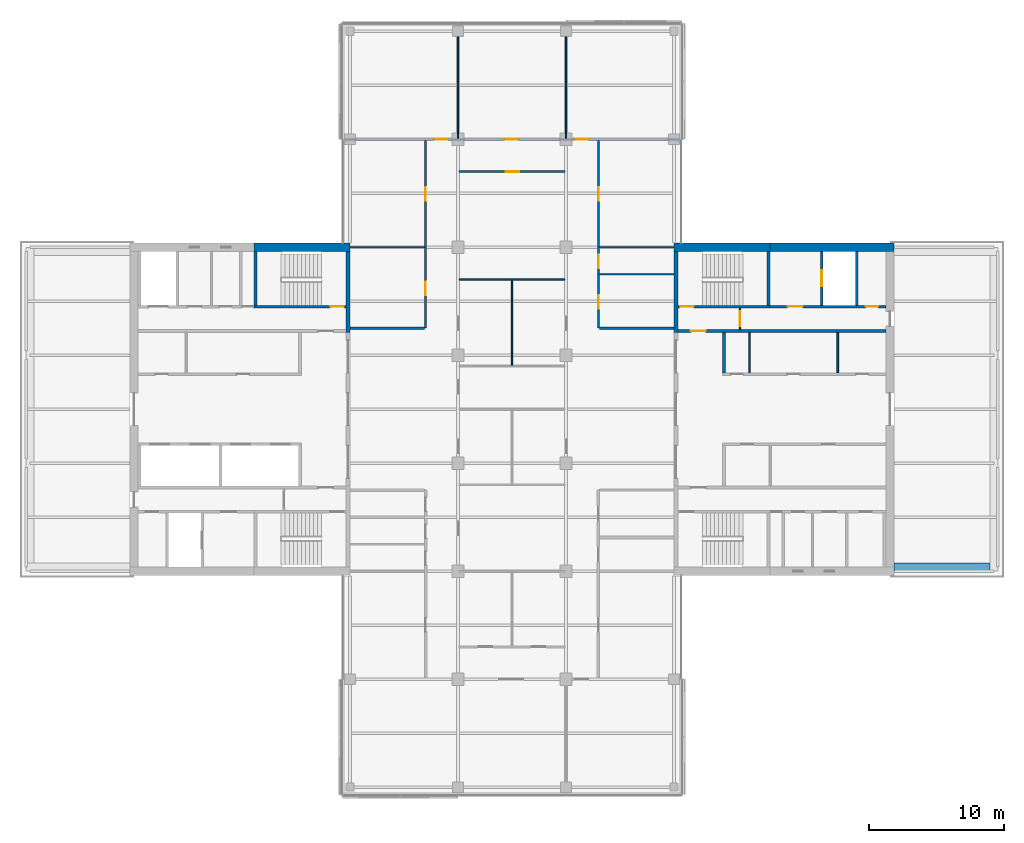
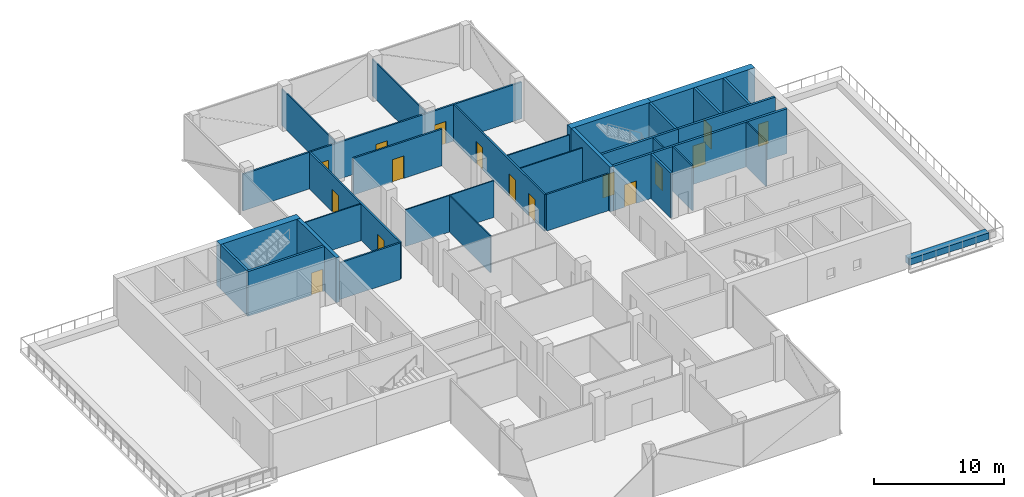
# One storey, part 14 of 18: 31 walls, 16 doors, 16 openings.
"""IFC4 building model written with IfcOpenShell, lengths in metres."""

from ifc_helpers import new_model, si_unit, direction, frame, frame_2d, origin, place, context, subcontext, project, spatial, rectangle, extrude, material, layer, layer_set, constituent, constituent_set, type_object, element, fill, save


model = new_model("IFC4")

# Units and contexts
model_context = context("Model", 3, precision=1e-05, world=origin(), true_north=direction((0.0, 1.0)))
body_context = subcontext(model_context, "Body", "Model", "MODEL_VIEW")
ifc_project = project(units=[si_unit("LENGTHUNIT", "METRE"), si_unit("AREAUNIT", "SQUARE_METRE"), si_unit("VOLUMEUNIT", "CUBIC_METRE"), si_unit("PLANEANGLEUNIT", "RADIAN"), si_unit("MASSUNIT", "GRAM", prefix="KILO")], contexts=[model_context])

# Site, building, storey
site_placement = place(None, origin())
site = spatial("IfcSite", under=ifc_project, at=site_placement, CompositionType="ELEMENT")
building_placement = place(site_placement, origin())
building = spatial("IfcBuilding", under=site, at=building_placement, Name="Crosswind Convention Tower", CompositionType="ELEMENT")
storey_placement = place(building_placement, frame((0.0, 0.0, 178.89990234375)))
storey = spatial("IfcBuildingStorey", under=building, at=storey_placement, Name="L37", CompositionType="ELEMENT", Elevation=178.89990234375)

# Walls
ifc_material_1 = material(Name="Concrete C50/60", Category="concrete")
ifc_layer_1 = layer(ifc_material_1, 0.300048828125)
ifc_layer_set_1 = layer_set([ifc_layer_1], Name="Concrete C50/60")
wall_type_1 = type_object("IfcWallType", Name="Concrete inner core wall 300", PredefinedType="SHEAR", material=ifc_layer_set_1)
for number, where, z_axis, x_axis, name in (
    (1, (137.14990234375, 105.699951171875, 0.0), (0.0, 0.0, 1.0), (0.0, 1.0, 0.0), "Wall EP E L37"),
    (2, (112.85009765625, 111.699951171875, 0.0), (0.0, 0.0, 1.0), (0.0, -1.0, 0.0), "Wall EM W L37"),
):
    element("IfcWall", number, at=place(storey_placement, frame(where, z_axis=z_axis, x_axis=x_axis)), inside=storey, type_object=wall_type_1, Name=name, PredefinedType="SHEAR", context=body_context, shape_type="SweptSolid", body=[
        extrude(rectangle(XDim=6.0, YDim=0.300048828125, at=frame_2d((3.0, 0.0))), origin(), (0.0, 0.0, 1.0), 4.2001953125),
    ])
ifc_layer_2 = layer(ifc_material_1, 0.199951171875)
ifc_layer_set_2 = layer_set([ifc_layer_2], Name="Concrete C50/60")
wall_type_2 = type_object("IfcWallType", Name="Concrete shaft and stair wall 200", PredefinedType="SHEAR", material=ifc_layer_set_2)
wall_1_placement = place(storey_placement, frame((140.699951171875, 102.699951171875, 0.0), z_axis=(0.0, 0.0, 1.0), x_axis=(0.0, 1.0, 0.0)))
element("IfcWall", 3, at=wall_1_placement, inside=storey, type_object=wall_type_2, Name="Wall RPEND E L37", PredefinedType="SHEAR", context=body_context, shape_type="SweptSolid", body=[
    extrude(rectangle(XDim=3.0, YDim=0.199951171875, at=frame_2d((1.5, 0.0))), origin(), (0.0, 0.0, 1.0), 4.2001953125),
])

# Wall, opening, door
wall_2_placement = place(storey_placement, frame((137.300048828125, 105.800048828125, 0.0), z_axis=(0.0, 0.0, 1.0), x_axis=(1.0, 0.0, 0.0)))
wall_2 = element("IfcWall", 4, at=wall_2_placement, inside=storey, type_object=wall_type_2, Name="Wall HP E L37", PredefinedType="SHEAR", context=body_context, shape_type="SweptSolid", body=[
    extrude(rectangle(XDim=15.39990234375, YDim=0.199951171875, at=frame_2d((7.699951171875, 0.0))), origin(), (0.0, 0.0, 1.0), 4.2001953125),
])
opening_1_placement = place(wall_2_placement, frame((0.949951171875, 0.0, 0.0)))
opening_1 = element("IfcOpeningElement", 5, at=opening_1_placement, cuts=wall_2, Name="Opening D104", PredefinedType="OPENING", context=body_context, shape_type="SweptSolid", body=[
    extrude(rectangle(XDim=1.10009765625, YDim=2.10009765625, at=frame_2d((0.550048828125, 1.050048828125))), frame((0.0, 0.10986328125, 0.0), z_axis=(0.0, -1.0, 0.0), x_axis=(1.0, 0.0, 0.0)), (0.0, 0.0, 1.0), 0.219970703125),
])
ifc_material_2 = material(Name="Steel fire door", Category="steel")
door_type_1 = type_object("IfcDoorType", Name="Fire-rated single door 1100x2100", OperationType="NOTDEFINED", PredefinedType="DOOR", material=ifc_material_2)
door_1_placement = place(opening_1_placement, origin())
door_1 = element("IfcDoor", 6, at=door_1_placement, inside=storey, type_object=door_type_1, Name="Corridor door L37", ObjectType="D104", OperationType="SINGLE_SWING_LEFT", OverallHeight=2.10009765625, OverallWidth=1.10009765625, PredefinedType="DOOR", context=body_context, shape_type="SweptSolid", body=[
    extrude(rectangle(XDim=1.10009765625, YDim=2.10009765625, at=frame_2d((0.550048828125, 1.050048828125))), frame((0.0, 0.02490234375, 0.0), z_axis=(0.0, -1.0, 0.0), x_axis=(1.0, 0.0, 0.0)), (0.0, 0.0, 1.0), 0.050048828125),
])
fill(opening_1, door_1)

# Wall
wall_3_placement = place(storey_placement, frame((144.0, 107.699951171875, 0.0), z_axis=(0.0, 0.0, 1.0), x_axis=(0.0, 1.0, 0.0)))
element("IfcWall", 7, at=wall_3_placement, inside=storey, type_object=wall_type_2, Name="Wall PSE E L37", PredefinedType="SHEAR", context=body_context, shape_type="SweptSolid", body=[
    extrude(rectangle(XDim=4.0, YDim=0.199951171875, at=frame_2d((2.0, 0.0))), origin(), (0.0, 0.0, 1.0), 4.2001953125),
])

# Wall, opening, door
wall_4_placement = place(storey_placement, frame((147.949951171875, 107.699951171875, 0.0), z_axis=(0.0, 0.0, 1.0), x_axis=(0.0, 1.0, 0.0)))
wall_4 = element("IfcWall", 8, at=wall_4_placement, inside=storey, type_object=wall_type_2, Name="Wall PFLW E L37", PredefinedType="SHEAR", context=body_context, shape_type="SweptSolid", body=[
    extrude(rectangle(XDim=4.0, YDim=0.199951171875, at=frame_2d((2.0, 0.0))), origin(), (0.0, 0.0, 1.0), 4.2001953125),
])
opening_2_placement = place(wall_4_placement, frame((1.39990234375, 0.0, 0.0)))
opening_2 = element("IfcOpeningElement", 9, at=opening_2_placement, cuts=wall_4, Name="Opening LD1", PredefinedType="OPENING", context=body_context, shape_type="SweptSolid", body=[
    extrude(rectangle(XDim=1.199951171875, YDim=2.10009765625, at=frame_2d((0.60009765625, 1.050048828125))), frame((0.0, 0.10986328125, 0.0), z_axis=(0.0, -1.0, 0.0), x_axis=(1.0, 0.0, 0.0)), (0.0, 0.0, 1.0), 0.219970703125),
])
ifc_material_3 = material(Name="Stainless steel", Category="steel")
door_type_2 = type_object("IfcDoorType", Name="Lift landing door 1200x2100", OperationType="DOUBLE_DOOR_SLIDING", PredefinedType="DOOR", material=ifc_material_3)
door_2_placement = place(opening_2_placement, origin())
door_2 = element("IfcDoor", 10, at=door_2_placement, inside=storey, type_object=door_type_2, Name="Landing door FF1 L37", ObjectType="LD1", OperationType="DOUBLE_DOOR_SLIDING", OverallHeight=2.10009765625, OverallWidth=1.199951171875, PredefinedType="DOOR", context=body_context, shape_type="SweptSolid", body=[
    extrude(rectangle(XDim=1.199951171875, YDim=2.10009765625, at=frame_2d((0.60009765625, 1.050048828125))), frame((0.0, 0.02490234375, 0.0), z_axis=(0.0, -1.0, 0.0), x_axis=(1.0, 0.0, 0.0)), (0.0, 0.0, 1.0), 0.050048828125),
])
fill(opening_2, door_2)

# Wall
wall_5_placement = place(storey_placement, frame((150.550048828125, 107.699951171875, 0.0), z_axis=(0.0, 0.0, 1.0), x_axis=(0.0, 1.0, 0.0)))
element("IfcWall", 11, at=wall_5_placement, inside=storey, type_object=wall_type_2, Name="Wall PFSE E L37", PredefinedType="SHEAR", context=body_context, shape_type="SweptSolid", body=[
    extrude(rectangle(XDim=4.0, YDim=0.199951171875, at=frame_2d((2.0, 0.0))), origin(), (0.0, 0.0, 1.0), 4.2001953125),
])

# Wall, opening, door
wall_6_placement = place(storey_placement, frame((137.300048828125, 107.60009765625, 0.0), z_axis=(0.0, 0.0, 1.0), x_axis=(1.0, 0.0, 0.0)))
wall_6 = element("IfcWall", 12, at=wall_6_placement, inside=storey, type_object=wall_type_2, Name="Wall PCW E L37", PredefinedType="SHEAR", context=body_context, shape_type="SweptSolid", body=[
    extrude(rectangle(XDim=6.800048828125, YDim=0.199951171875, at=frame_2d((3.39990234375, 0.0))), origin(), (0.0, 0.0, 1.0), 4.2001953125),
])
opening_3_placement = place(wall_6_placement, frame((0.14990234375, 0.0, 0.0)))
opening_3 = element("IfcOpeningElement", 13, at=opening_3_placement, cuts=wall_6, Name="Opening D103", PredefinedType="OPENING", context=body_context, shape_type="SweptSolid", body=[
    extrude(rectangle(XDim=1.0, YDim=2.10009765625, at=frame_2d((0.5, 1.050048828125))), frame((0.0, 0.10986328125, 0.0), z_axis=(0.0, -1.0, 0.0), x_axis=(1.0, 0.0, 0.0)), (0.0, 0.0, 1.0), 0.219970703125),
])
door_type_3 = type_object("IfcDoorType", Name="Fire-rated single door 1000x2100", OperationType="NOTDEFINED", PredefinedType="DOOR", material=ifc_material_2)
door_3_placement = place(opening_3_placement, origin())
door_3 = element("IfcDoor", 14, at=door_3_placement, inside=storey, type_object=door_type_3, Name="Stair ST1 door L37", ObjectType="D103", OperationType="SINGLE_SWING_LEFT", OverallHeight=2.10009765625, OverallWidth=1.0, PredefinedType="DOOR", context=body_context, shape_type="SweptSolid", body=[
    extrude(rectangle(XDim=1.0, YDim=2.10009765625, at=frame_2d((0.5, 1.050048828125))), frame((0.0, 0.02490234375, 0.0), z_axis=(0.0, -1.0, 0.0), x_axis=(1.0, 0.0, 0.0)), (0.0, 0.0, 1.0), 0.050048828125),
])
fill(opening_3, door_3)

# Wall, openings, doors
wall_7_placement = place(storey_placement, frame((144.10009765625, 107.60009765625, 0.0), z_axis=(0.0, 0.0, 1.0), x_axis=(1.0, 0.0, 0.0)))
wall_7 = element("IfcWall", 15, at=wall_7_placement, inside=storey, type_object=wall_type_2, Name="Wall PCX E L37", PredefinedType="SHEAR", context=body_context, shape_type="SweptSolid", body=[
    extrude(rectangle(XDim=8.599853515625, YDim=0.199951171875, at=frame_2d((4.2998046875, 0.0))), origin(), (0.0, 0.0, 1.0), 4.2001953125),
])
opening_4_placement = place(wall_7_placement, frame((1.324951171875, 0.0, 0.0)))
opening_4 = element("IfcOpeningElement", 16, at=opening_4_placement, cuts=wall_7, Name="Opening D104", PredefinedType="OPENING", context=body_context, shape_type="SweptSolid", body=[
    extrude(rectangle(XDim=1.10009765625, YDim=2.10009765625, at=frame_2d((0.550048828125, 1.050048828125))), frame((0.0, 0.10986328125, 0.0), z_axis=(0.0, -1.0, 0.0), x_axis=(1.0, 0.0, 0.0)), (0.0, 0.0, 1.0), 0.219970703125),
])
opening_5_placement = place(wall_7_placement, frame((7.125, 0.0, 0.0)))
opening_5 = element("IfcOpeningElement", 17, at=opening_5_placement, cuts=wall_7, Name="Opening D106", PredefinedType="OPENING", context=body_context, shape_type="SweptSolid", body=[
    extrude(rectangle(XDim=0.89990234375, YDim=2.10009765625, at=frame_2d((0.449951171875, 1.050048828125))), frame((0.0, 0.10986328125, 0.0), z_axis=(0.0, -1.0, 0.0), x_axis=(1.0, 0.0, 0.0)), (0.0, 0.0, 1.0), 0.219970703125),
])
door_4_placement = place(opening_4_placement, origin())
door_4 = element("IfcDoor", 18, at=door_4_placement, inside=storey, type_object=door_type_1, Name="Fire-fighting lobby FF1 door L37", ObjectType="D104", OperationType="SINGLE_SWING_RIGHT", OverallHeight=2.10009765625, OverallWidth=1.10009765625, PredefinedType="DOOR", context=body_context, shape_type="SweptSolid", body=[
    extrude(rectangle(XDim=1.10009765625, YDim=2.10009765625, at=frame_2d((0.550048828125, 1.050048828125))), frame((0.0, 0.02490234375, 0.0), z_axis=(0.0, -1.0, 0.0), x_axis=(1.0, 0.0, 0.0)), (0.0, 0.0, 1.0), 0.050048828125),
])
fill(opening_4, door_4)
ifc_material_4 = material(Name="Timber door", Category="wood")
door_type_4 = type_object("IfcDoorType", Name="Single leaf door 900x2100", OperationType="NOTDEFINED", PredefinedType="DOOR", material=ifc_material_4)
door_5_placement = place(opening_5_placement, origin())
door_5 = element("IfcDoor", 19, at=door_5_placement, inside=storey, type_object=door_type_4, Name="Door to cleaners' store L37", ObjectType="D106", OperationType="SINGLE_SWING_RIGHT", OverallHeight=2.10009765625, OverallWidth=0.89990234375, PredefinedType="DOOR", context=body_context, shape_type="SweptSolid", body=[
    extrude(rectangle(XDim=0.89990234375, YDim=2.10009765625, at=frame_2d((0.449951171875, 1.050048828125))), frame((0.0, 0.02490234375, 0.0), z_axis=(0.0, -1.0, 0.0), x_axis=(1.0, 0.0, 0.0)), (0.0, 0.0, 1.0), 0.050048828125),
])
fill(opening_5, door_5)

# Wall
wall_8_placement = place(storey_placement, frame((106.0, 111.699951171875, 0.0), z_axis=(0.0, 0.0, 1.0), x_axis=(0.0, -1.0, 0.0)))
element("IfcWall", 20, at=wall_8_placement, inside=storey, type_object=wall_type_2, Name="Wall MSE W L37", PredefinedType="SHEAR", context=body_context, shape_type="SweptSolid", body=[
    extrude(rectangle(XDim=4.0, YDim=0.199951171875, at=frame_2d((2.0, 0.0))), origin(), (0.0, 0.0, 1.0), 4.2001953125),
])

# Wall, opening, door
wall_9_placement = place(storey_placement, frame((112.699951171875, 107.60009765625, 0.0), z_axis=(0.0, 0.0, 1.0), x_axis=(-1.0, 0.0, 0.0)))
wall_9 = element("IfcWall", 21, at=wall_9_placement, inside=storey, type_object=wall_type_2, Name="Wall MCW W L37", PredefinedType="SHEAR", context=body_context, shape_type="SweptSolid", body=[
    extrude(rectangle(XDim=6.800048828125, YDim=0.199951171875, at=frame_2d((3.39990234375, 0.0))), origin(), (0.0, 0.0, 1.0), 4.2001953125),
])
opening_6_placement = place(wall_9_placement, frame((0.14990234375, 0.0, 0.0)))
opening_6 = element("IfcOpeningElement", 22, at=opening_6_placement, cuts=wall_9, Name="Opening D103", PredefinedType="OPENING", context=body_context, shape_type="SweptSolid", body=[
    extrude(rectangle(XDim=1.0, YDim=2.10009765625, at=frame_2d((0.5, 1.050048828125))), frame((0.0, 0.10986328125, 0.0), z_axis=(0.0, -1.0, 0.0), x_axis=(1.0, 0.0, 0.0)), (0.0, 0.0, 1.0), 0.219970703125),
])
door_6_placement = place(opening_6_placement, frame((1.0, 0.0, 0.0), z_axis=(0.0, 0.0, 1.0), x_axis=(-1.0, 0.0, 0.0)))
door_6 = element("IfcDoor", 23, at=door_6_placement, inside=storey, type_object=door_type_3, Name="Stair ST4 door L37", ObjectType="D103", OperationType="SINGLE_SWING_RIGHT", OverallHeight=2.10009765625, OverallWidth=1.0, PredefinedType="DOOR", context=body_context, shape_type="SweptSolid", body=[
    extrude(rectangle(XDim=1.0, YDim=2.10009765625, at=frame_2d((0.5, 1.050048828125))), frame((0.0, 0.02490234375, 0.0), z_axis=(0.0, -1.0, 0.0), x_axis=(1.0, 0.0, 0.0)), (0.0, 0.0, 1.0), 0.050048828125),
])
fill(opening_6, door_6)

# Walls
ifc_material_5 = material(Name="Gypsum plasterboard partition", Category="gypsum")
ifc_layer_3 = layer(ifc_material_5, 0.125)
ifc_layer_set_3 = layer_set([ifc_layer_3], Name="Drywall partition wall 125")
wall_type_3 = type_object("IfcWallType", Name="Drywall partition wall 125", PredefinedType="PARTITIONING", material=ifc_layer_set_3)
for number, where, z_axis, x_axis, name in (
    (24, (142.5849609375, 102.699951171875, 0.0), (0.0, 0.0, 1.0), (0.0, 1.0, 0.0), "Wall RPP1 E L37"),
    (25, (149.1298828125, 102.699951171875, 0.0), (0.0, 0.0, 1.0), (0.0, 1.0, 0.0), "Wall RPP2 E L37"),
):
    element("IfcWall", number, at=place(storey_placement, frame(where, z_axis=z_axis, x_axis=x_axis)), inside=storey, type_object=wall_type_3, Name=name, PredefinedType="PARTITIONING", context=body_context, shape_type="SweptSolid", body=[
        extrude(rectangle(XDim=3.0, YDim=0.125, at=frame_2d((1.5, 0.0))), origin(), (0.0, 0.0, 1.0), 4.2001953125),
    ])

# Wall, opening, door
wall_10_placement = place(storey_placement, frame((141.89990234375, 105.89990234375, 0.0), z_axis=(0.0, 0.0, 1.0), x_axis=(0.0, 1.0, 0.0)))
wall_10 = element("IfcWall", 26, at=wall_10_placement, inside=storey, type_object=wall_type_3, Name="Wall PXC1 E L37", PredefinedType="PARTITIONING", context=body_context, shape_type="SweptSolid", body=[
    extrude(rectangle(XDim=1.60009765625, YDim=0.125, at=frame_2d((0.800048828125, 0.0))), origin(), (0.0, 0.0, 1.0), 4.2001953125),
])
opening_7_placement = place(wall_10_placement, frame((0.25, 0.0, 0.0)))
opening_7 = element("IfcOpeningElement", 27, at=opening_7_placement, cuts=wall_10, Name="Opening D104", PredefinedType="OPENING", context=body_context, shape_type="SweptSolid", body=[
    extrude(rectangle(XDim=1.10009765625, YDim=2.10009765625, at=frame_2d((0.550048828125, 1.050048828125))), frame((0.0, 0.072509765625, 0.0), z_axis=(0.0, -1.0, 0.0), x_axis=(1.0, 0.0, 0.0)), (0.0, 0.0, 1.0), 0.14501953125),
])
door_7_placement = place(opening_7_placement, origin())
door_7 = element("IfcDoor", 28, at=door_7_placement, inside=storey, type_object=door_type_1, Name="Corridor smoke door L37", ObjectType="D104", OperationType="SINGLE_SWING_RIGHT", OverallHeight=2.10009765625, OverallWidth=1.10009765625, PredefinedType="DOOR", context=body_context, shape_type="SweptSolid", body=[
    extrude(rectangle(XDim=1.10009765625, YDim=2.10009765625, at=frame_2d((0.550048828125, 1.050048828125))), frame((0.0, 0.02490234375, 0.0), z_axis=(0.0, -1.0, 0.0), x_axis=(1.0, 0.0, 0.0)), (0.0, 0.0, 1.0), 0.050048828125),
])
fill(opening_7, door_7)

# Walls
ifc_material_6 = material(Name="Plasterboard partition", Category="gypsum")
ifc_layer_4 = layer(ifc_material_6, 0.10009765625)
ifc_layer_set_4 = layer_set([ifc_layer_4], Name="PARTITION 100 METAL STUD")
wall_type_4 = type_object("IfcWallType", Name="PARTITION 100 METAL STUD", PredefinedType="PARTITIONING", material=ifc_layer_set_4)
wall_11_placement = place(storey_placement, frame((121.0, 120.074951171875, 0.0), z_axis=(0.0, 0.0, 1.0), x_axis=(0.0, 1.0, 0.0)))
element("IfcWall", 29, at=wall_11_placement, inside=storey, type_object=wall_type_4, Name="Partition wall WT40", PredefinedType="PARTITIONING", context=body_context, shape_type="SweptSolid", body=[
    extrude(rectangle(XDim=8.295166015625, YDim=0.10009765625, at=frame_2d((4.1474609375, 0.0))), origin(), (0.0, 0.0, 1.0), 3.43994140625),
])
wall_12_placement = place(storey_placement, frame((125.0, 103.25, 0.0), z_axis=(0.0, 0.0, 1.0), x_axis=(0.0, 1.0, 0.0)))
element("IfcWall", 30, at=wall_12_placement, inside=storey, type_object=wall_type_4, Name="Partition wall WT40", PredefinedType="PARTITIONING", context=body_context, shape_type="SweptSolid", body=[
    extrude(rectangle(XDim=6.300048828125, YDim=0.10009765625, at=frame_2d((3.14990234375, 0.0))), origin(), (0.0, 0.0, 1.0), 3.43994140625),
])
wall_13_placement = place(storey_placement, frame((129.0, 120.074951171875, 0.0), z_axis=(0.0, 0.0, 1.0), x_axis=(0.0, 1.0, 0.0)))
element("IfcWall", 31, at=wall_13_placement, inside=storey, type_object=wall_type_4, Name="Partition wall WT40", PredefinedType="PARTITIONING", context=body_context, shape_type="SweptSolid", body=[
    extrude(rectangle(XDim=8.295166015625, YDim=0.10009765625, at=frame_2d((4.1474609375, 0.0))), origin(), (0.0, 0.0, 1.0), 3.43994140625),
])
wall_14_placement = place(storey_placement, frame((121.074951171875, 109.60009765625, 0.0), z_axis=(0.0, 0.0, 1.0), x_axis=(1.0, 0.0, 0.0)))
element("IfcWall", 32, at=wall_14_placement, inside=storey, type_object=wall_type_4, Name="Partition wall WT40", PredefinedType="PARTITIONING", context=body_context, shape_type="SweptSolid", body=[
    extrude(rectangle(XDim=7.85009765625, YDim=0.10009765625, at=frame_2d((3.925048828125, 0.0))), origin(), (0.0, 0.0, 1.0), 3.43994140625),
])
for number, where, z_axis, x_axis, name in (
    (33, (131.47509765625, 110.0, 0.0), (0.0, 0.0, 1.0), (1.0, 0.0, 0.0), "Partition wall WT40"),
    (34, (113.0, 112.0, 0.0), (0.0, 0.0, 1.0), (1.0, 0.0, 0.0), "Partition wall WT40"),
    (35, (131.47509765625, 112.0, 0.0), (0.0, 0.0, 1.0), (1.0, 0.0, 0.0), "Partition wall WT40"),
):
    element("IfcWall", number, at=place(storey_placement, frame(where, z_axis=z_axis, x_axis=x_axis)), inside=storey, type_object=wall_type_4, Name=name, PredefinedType="PARTITIONING", context=body_context, shape_type="SweptSolid", body=[
        extrude(rectangle(XDim=5.52490234375, YDim=0.10009765625, at=frame_2d((2.762451171875, 0.0))), origin(), (0.0, 0.0, 1.0), 3.43994140625),
    ])
ifc_material_7 = material(Name="Concrete C30/37", Category="concrete")
ifc_layer_5 = layer(ifc_material_7, 0.60009765625)
ifc_layer_set_5 = layer_set([ifc_layer_5], Name="Concrete C30/37")
wall_type_5 = type_object("IfcWallType", Name="PLANTER BOX WALL 600", PredefinedType="SOLIDWALL", material=ifc_layer_set_5)
wall_15_placement = place(storey_placement, frame((160.39990234375, 88.300048828125, 0.0), z_axis=(0.0, 0.0, 1.0), x_axis=(-1.0, 0.0, 0.0)))
element("IfcWall", 36, at=wall_15_placement, inside=storey, type_object=wall_type_5, Name="PLANTER L37 E 3", PredefinedType="SOLIDWALL", context=body_context, shape_type="SweptSolid", body=[
    extrude(rectangle(XDim=7.099853515625, YDim=0.60009765625, at=frame_2d((3.5498046875, 0.0))), origin(), (0.0, 0.0, 1.0), 0.60009765625),
])

# Wall, openings, doors
ifc_material_8 = material(Name="Fire-board partition with mineral wool", Category="gypsum")
ifc_layer_6 = layer(ifc_material_8, 0.14990234375)
ifc_layer_set_6 = layer_set([ifc_layer_6], Name="TENANCY WALL 150 TWO-HOUR BOARD")
wall_type_6 = type_object("IfcWallType", Name="TENANCY WALL 150 TWO-HOUR BOARD", PredefinedType="PARTITIONING", material=ifc_layer_set_6)
wall_16_placement = place(storey_placement, frame((118.60009765625, 106.0, 0.0), z_axis=(0.0, 0.0, 1.0), x_axis=(0.0, 1.0, 0.0)))
wall_16 = element("IfcWall", 37, at=wall_16_placement, inside=storey, type_object=wall_type_6, Name="Tenancy wall WT41", PredefinedType="PARTITIONING", context=body_context, shape_type="SweptSolid", body=[
    extrude(rectangle(XDim=13.925048828125, YDim=0.14990234375, at=frame_2d((6.96240234375, 0.0))), origin(), (0.0, 0.0, 1.0), 3.43994140625),
])
opening_8_placement = place(wall_16_placement, frame((2.449951171875, 0.0, 0.0)))
opening_8 = element("IfcOpeningElement", 38, at=opening_8_placement, cuts=wall_16, Name="Opening L37-56", PredefinedType="OPENING", context=body_context, shape_type="SweptSolid", body=[
    extrude(rectangle(XDim=1.0, YDim=2.10009765625, at=frame_2d((0.5, 1.050048828125))), frame((0.0, 0.0849609375, 0.0), z_axis=(0.0, -1.0, 0.0), x_axis=(1.0, 0.0, 0.0)), (0.0, 0.0, 1.0), 0.169921875),
])
opening_9_placement = place(wall_16_placement, frame((9.449951171875, 0.0, 0.0)))
opening_9 = element("IfcOpeningElement", 39, at=opening_9_placement, cuts=wall_16, Name="Opening L37-57", PredefinedType="OPENING", context=body_context, shape_type="SweptSolid", body=[
    extrude(rectangle(XDim=1.0, YDim=2.10009765625, at=frame_2d((0.5, 1.050048828125))), frame((0.0, 0.0849609375, 0.0), z_axis=(0.0, -1.0, 0.0), x_axis=(1.0, 0.0, 0.0)), (0.0, 0.0, 1.0), 0.169921875),
])
ifc_material_9 = material(Name="Timber fire door", Category="wood")
door_type_5 = type_object("IfcDoorType", Name="TENANCY ENTRANCE DOOR 1000X2100 FD30S", OperationType="NOTDEFINED", PredefinedType="DOOR", material=ifc_material_9)
door_8_placement = place(opening_8_placement, origin())
door_8 = element("IfcDoor", 40, at=door_8_placement, inside=storey, type_object=door_type_5, Name="Door L37-56", ObjectType="D41", OperationType="SINGLE_SWING_LEFT", OverallHeight=2.10009765625, OverallWidth=1.0, PredefinedType="DOOR", context=body_context, shape_type="SweptSolid", body=[
    extrude(rectangle(XDim=1.0, YDim=2.10009765625, at=frame_2d((0.5, 1.050048828125))), frame((0.0, 0.02490234375, 0.0), z_axis=(0.0, -1.0, 0.0), x_axis=(1.0, 0.0, 0.0)), (0.0, 0.0, 1.0), 0.050048828125),
])
fill(opening_8, door_8)
door_9_placement = place(opening_9_placement, origin())
door_9 = element("IfcDoor", 41, at=door_9_placement, inside=storey, type_object=door_type_5, Name="Door L37-57", ObjectType="D41", OperationType="SINGLE_SWING_LEFT", OverallHeight=2.10009765625, OverallWidth=1.0, PredefinedType="DOOR", context=body_context, shape_type="SweptSolid", body=[
    extrude(rectangle(XDim=1.0, YDim=2.10009765625, at=frame_2d((0.5, 1.050048828125))), frame((0.0, 0.02490234375, 0.0), z_axis=(0.0, -1.0, 0.0), x_axis=(1.0, 0.0, 0.0)), (0.0, 0.0, 1.0), 0.050048828125),
])
fill(opening_9, door_9)

wall_17_placement = place(storey_placement, frame((131.39990234375, 106.0, 0.0), z_axis=(0.0, 0.0, 1.0), x_axis=(0.0, 1.0, 0.0)))
wall_17 = element("IfcWall", 42, at=wall_17_placement, inside=storey, type_object=wall_type_6, Name="Tenancy wall WT41", PredefinedType="PARTITIONING", context=body_context, shape_type="SweptSolid", body=[
    extrude(rectangle(XDim=13.925048828125, YDim=0.14990234375, at=frame_2d((6.96240234375, 0.0))), origin(), (0.0, 0.0, 1.0), 3.43994140625),
])
opening_10_placement = place(wall_17_placement, frame((1.449951171875, 0.0, 0.0)))
opening_10 = element("IfcOpeningElement", 43, at=opening_10_placement, cuts=wall_17, Name="Opening L37-50", PredefinedType="OPENING", context=body_context, shape_type="SweptSolid", body=[
    extrude(rectangle(XDim=1.0, YDim=2.10009765625, at=frame_2d((0.5, 1.050048828125))), frame((0.0, 0.0849609375, 0.0), z_axis=(0.0, -1.0, 0.0), x_axis=(1.0, 0.0, 0.0)), (0.0, 0.0, 1.0), 0.169921875),
])
opening_11_placement = place(wall_17_placement, frame((4.449951171875, 0.0, 0.0)))
opening_11 = element("IfcOpeningElement", 44, at=opening_11_placement, cuts=wall_17, Name="Opening L37-51", PredefinedType="OPENING", context=body_context, shape_type="SweptSolid", body=[
    extrude(rectangle(XDim=1.0, YDim=2.10009765625, at=frame_2d((0.5, 1.050048828125))), frame((0.0, 0.0849609375, 0.0), z_axis=(0.0, -1.0, 0.0), x_axis=(1.0, 0.0, 0.0)), (0.0, 0.0, 1.0), 0.169921875),
])
opening_12_placement = place(wall_17_placement, frame((9.449951171875, 0.0, 0.0)))
opening_12 = element("IfcOpeningElement", 45, at=opening_12_placement, cuts=wall_17, Name="Opening L37-52", PredefinedType="OPENING", context=body_context, shape_type="SweptSolid", body=[
    extrude(rectangle(XDim=1.0, YDim=2.10009765625, at=frame_2d((0.5, 1.050048828125))), frame((0.0, 0.0849609375, 0.0), z_axis=(0.0, -1.0, 0.0), x_axis=(1.0, 0.0, 0.0)), (0.0, 0.0, 1.0), 0.169921875),
])
door_10_placement = place(opening_10_placement, frame((1.0, 0.0, 0.0), z_axis=(0.0, 0.0, 1.0), x_axis=(-1.0, 0.0, 0.0)))
door_10 = element("IfcDoor", 46, at=door_10_placement, inside=storey, type_object=door_type_5, Name="Door L37-50", ObjectType="D41", OperationType="SINGLE_SWING_RIGHT", OverallHeight=2.10009765625, OverallWidth=1.0, PredefinedType="DOOR", context=body_context, shape_type="SweptSolid", body=[
    extrude(rectangle(XDim=1.0, YDim=2.10009765625, at=frame_2d((0.5, 1.050048828125))), frame((0.0, 0.02490234375, 0.0), z_axis=(0.0, -1.0, 0.0), x_axis=(1.0, 0.0, 0.0)), (0.0, 0.0, 1.0), 0.050048828125),
])
fill(opening_10, door_10)
door_11_placement = place(opening_11_placement, frame((1.0, 0.0, 0.0), z_axis=(0.0, 0.0, 1.0), x_axis=(-1.0, 0.0, 0.0)))
door_11 = element("IfcDoor", 47, at=door_11_placement, inside=storey, type_object=door_type_5, Name="Door L37-51", ObjectType="D41", OperationType="SINGLE_SWING_RIGHT", OverallHeight=2.10009765625, OverallWidth=1.0, PredefinedType="DOOR", context=body_context, shape_type="SweptSolid", body=[
    extrude(rectangle(XDim=1.0, YDim=2.10009765625, at=frame_2d((0.5, 1.050048828125))), frame((0.0, 0.02490234375, 0.0), z_axis=(0.0, -1.0, 0.0), x_axis=(1.0, 0.0, 0.0)), (0.0, 0.0, 1.0), 0.050048828125),
])
fill(opening_11, door_11)
door_12_placement = place(opening_12_placement, frame((1.0, 0.0, 0.0), z_axis=(0.0, 0.0, 1.0), x_axis=(-1.0, 0.0, 0.0)))
door_12 = element("IfcDoor", 48, at=door_12_placement, inside=storey, type_object=door_type_5, Name="Door L37-52", ObjectType="D41", OperationType="SINGLE_SWING_RIGHT", OverallHeight=2.10009765625, OverallWidth=1.0, PredefinedType="DOOR", context=body_context, shape_type="SweptSolid", body=[
    extrude(rectangle(XDim=1.0, YDim=2.10009765625, at=frame_2d((0.5, 1.050048828125))), frame((0.0, 0.02490234375, 0.0), z_axis=(0.0, -1.0, 0.0), x_axis=(1.0, 0.0, 0.0)), (0.0, 0.0, 1.0), 0.050048828125),
])
fill(opening_12, door_12)

# Walls
for number, where, z_axis, x_axis, name in (
    (49, (113.0, 106.0, 0.0), (0.0, 0.0, 1.0), (1.0, 0.0, 0.0), "Tenancy wall WT41"),
    (50, (131.47509765625, 106.0, 0.0), (0.0, 0.0, 1.0), (1.0, 0.0, 0.0), "Tenancy wall WT41"),
):
    element("IfcWall", number, at=place(storey_placement, frame(where, z_axis=z_axis, x_axis=x_axis)), inside=storey, type_object=wall_type_6, Name=name, PredefinedType="PARTITIONING", context=body_context, shape_type="SweptSolid", body=[
        extrude(rectangle(XDim=5.52490234375, YDim=0.14990234375, at=frame_2d((2.762451171875, 0.0))), origin(), (0.0, 0.0, 1.0), 3.43994140625),
    ])

# Wall, opening, door
wall_18_placement = place(storey_placement, frame((121.074951171875, 117.60009765625, 0.0), z_axis=(0.0, 0.0, 1.0), x_axis=(1.0, 0.0, 0.0)))
wall_18 = element("IfcWall", 51, at=wall_18_placement, inside=storey, type_object=wall_type_6, Name="Tenancy wall WT41", PredefinedType="PARTITIONING", context=body_context, shape_type="SweptSolid", body=[
    extrude(rectangle(XDim=7.85009765625, YDim=0.14990234375, at=frame_2d((3.925048828125, 0.0))), origin(), (0.0, 0.0, 1.0), 3.43994140625),
])
opening_13_placement = place(wall_18_placement, frame((3.449951171875, 0.0, 0.0)))
opening_13 = element("IfcOpeningElement", 52, at=opening_13_placement, cuts=wall_18, Name="Opening L37-75", PredefinedType="OPENING", context=body_context, shape_type="SweptSolid", body=[
    extrude(rectangle(XDim=1.0, YDim=2.10009765625, at=frame_2d((0.5, 1.050048828125))), frame((0.0, 0.0849609375, 0.0), z_axis=(0.0, -1.0, 0.0), x_axis=(1.0, 0.0, 0.0)), (0.0, 0.0, 1.0), 0.169921875),
])
door_13_placement = place(opening_13_placement, origin())
door_13 = element("IfcDoor", 53, at=door_13_placement, inside=storey, type_object=door_type_5, Name="Door L37-75", ObjectType="D41", OperationType="SINGLE_SWING_RIGHT", OverallHeight=2.10009765625, OverallWidth=1.0, PredefinedType="DOOR", context=body_context, shape_type="SweptSolid", body=[
    extrude(rectangle(XDim=1.0, YDim=2.10009765625, at=frame_2d((0.5, 1.050048828125))), frame((0.0, 0.02490234375, 0.0), z_axis=(0.0, -1.0, 0.0), x_axis=(1.0, 0.0, 0.0)), (0.0, 0.0, 1.0), 0.050048828125),
])
fill(opening_13, door_13)

# Wall, openings, doors
wall_19_placement = place(storey_placement, frame((112.6298828125, 120.0, 0.0), z_axis=(0.0, 0.0, 1.0), x_axis=(1.0, 0.0, 0.0)))
wall_19 = element("IfcWall", 54, at=wall_19_placement, inside=storey, type_object=wall_type_6, Name="Tenancy wall WT41", PredefinedType="PARTITIONING", context=body_context, shape_type="SweptSolid", body=[
    extrude(rectangle(XDim=24.740234375, YDim=0.14990234375, at=frame_2d((12.3701171875, 0.0))), origin(), (0.0, 0.0, 1.0), 3.43994140625),
])
opening_14_placement = place(wall_19_placement, frame((6.6201171875, 0.0, 0.0)))
opening_14 = element("IfcOpeningElement", 55, at=opening_14_placement, cuts=wall_19, Name="Opening L37-62", PredefinedType="OPENING", context=body_context, shape_type="SweptSolid", body=[
    extrude(rectangle(XDim=1.0, YDim=2.10009765625, at=frame_2d((0.5, 1.050048828125))), frame((0.0, 0.0849609375, 0.0), z_axis=(0.0, -1.0, 0.0), x_axis=(1.0, 0.0, 0.0)), (0.0, 0.0, 1.0), 0.169921875),
])
opening_15_placement = place(wall_19_placement, frame((11.820068359375, 0.0, 0.0)))
opening_15 = element("IfcOpeningElement", 56, at=opening_15_placement, cuts=wall_19, Name="Opening L37-63", PredefinedType="OPENING", context=body_context, shape_type="SweptSolid", body=[
    extrude(rectangle(XDim=1.0, YDim=2.10009765625, at=frame_2d((0.5, 1.050048828125))), frame((0.0, 0.0849609375, 0.0), z_axis=(0.0, -1.0, 0.0), x_axis=(1.0, 0.0, 0.0)), (0.0, 0.0, 1.0), 0.169921875),
])
opening_16_placement = place(wall_19_placement, frame((17.02001953125, 0.0, 0.0)))
opening_16 = element("IfcOpeningElement", 57, at=opening_16_placement, cuts=wall_19, Name="Opening L37-64", PredefinedType="OPENING", context=body_context, shape_type="SweptSolid", body=[
    extrude(rectangle(XDim=1.0, YDim=2.10009765625, at=frame_2d((0.5, 1.050048828125))), frame((0.0, 0.0849609375, 0.0), z_axis=(0.0, -1.0, 0.0), x_axis=(1.0, 0.0, 0.0)), (0.0, 0.0, 1.0), 0.169921875),
])
door_14_placement = place(opening_14_placement, frame((1.0, 0.0, 0.0), z_axis=(0.0, 0.0, 1.0), x_axis=(-1.0, 0.0, 0.0)))
door_14 = element("IfcDoor", 58, at=door_14_placement, inside=storey, type_object=door_type_5, Name="Door L37-62", ObjectType="D41", OperationType="SINGLE_SWING_LEFT", OverallHeight=2.10009765625, OverallWidth=1.0, PredefinedType="DOOR", context=body_context, shape_type="SweptSolid", body=[
    extrude(rectangle(XDim=1.0, YDim=2.10009765625, at=frame_2d((0.5, 1.050048828125))), frame((0.0, 0.02490234375, 0.0), z_axis=(0.0, -1.0, 0.0), x_axis=(1.0, 0.0, 0.0)), (0.0, 0.0, 1.0), 0.050048828125),
])
fill(opening_14, door_14)
door_15_placement = place(opening_15_placement, origin())
door_15 = element("IfcDoor", 59, at=door_15_placement, inside=storey, type_object=door_type_5, Name="Door L37-63", ObjectType="D41", OperationType="SINGLE_SWING_LEFT", OverallHeight=2.10009765625, OverallWidth=1.0, PredefinedType="DOOR", context=body_context, shape_type="SweptSolid", body=[
    extrude(rectangle(XDim=1.0, YDim=2.10009765625, at=frame_2d((0.5, 1.050048828125))), frame((0.0, 0.02490234375, 0.0), z_axis=(0.0, -1.0, 0.0), x_axis=(1.0, 0.0, 0.0)), (0.0, 0.0, 1.0), 0.050048828125),
])
fill(opening_15, door_15)
door_16_placement = place(opening_16_placement, frame((1.0, 0.0, 0.0), z_axis=(0.0, 0.0, 1.0), x_axis=(-1.0, 0.0, 0.0)))
door_16 = element("IfcDoor", 60, at=door_16_placement, inside=storey, type_object=door_type_5, Name="Door L37-64", ObjectType="D41", OperationType="SINGLE_SWING_RIGHT", OverallHeight=2.10009765625, OverallWidth=1.0, PredefinedType="DOOR", context=body_context, shape_type="SweptSolid", body=[
    extrude(rectangle(XDim=1.0, YDim=2.10009765625, at=frame_2d((0.5, 1.050048828125))), frame((0.0, 0.02490234375, 0.0), z_axis=(0.0, -1.0, 0.0), x_axis=(1.0, 0.0, 0.0)), (0.0, 0.0, 1.0), 0.050048828125),
])
fill(opening_16, door_16)

# Walls
ifc_material_10 = material(Name="Concrete C60/75", Category="concrete")
ifc_constituent_1 = constituent(ifc_material_10, Name="Structure")
ifc_material_11 = material(Name="Terracotta rainscreen", Category="ceramic")
ifc_constituent_2 = constituent(ifc_material_11, Name="Facing")
ifc_constituent_set = constituent_set(constituents=[ifc_constituent_1, ifc_constituent_2], Name="Concrete C60/75, Terracotta rainscreen")
wall_type_7 = type_object("IfcWallType", Name="Terracotta rainscreen on concrete core wall 600", PredefinedType="SHEAR", material=ifc_constituent_set)
wall_20_placement = place(storey_placement, frame((137.0, 112.0, 0.0), z_axis=(0.0, 0.0, 1.0), x_axis=(1.0, 0.0, 0.0)))
element("IfcWall", 61, at=wall_20_placement, inside=storey, type_object=wall_type_7, Name="Wall N1 E L37", PredefinedType="SHEAR", context=body_context, shape_type="SweptSolid", body=[
    extrude(rectangle(XDim=7.10009765625, YDim=0.60009765625, at=frame_2d((3.550048828125, 0.0))), origin(), (0.0, 0.0, 1.0), 4.2001953125),
])
wall_21_placement = place(storey_placement, frame((144.10009765625, 112.0, 0.0), z_axis=(0.0, 0.0, 1.0), x_axis=(1.0, 0.0, 0.0)))
element("IfcWall", 62, at=wall_21_placement, inside=storey, type_object=wall_type_7, Name="Wall N2 E L37", PredefinedType="SHEAR", context=body_context, shape_type="SweptSolid", body=[
    extrude(rectangle(XDim=9.199951171875, YDim=0.60009765625, at=frame_2d((4.60009765625, 0.0))), origin(), (0.0, 0.0, 1.0), 4.2001953125),
])
wall_22_placement = place(storey_placement, frame((113.0, 112.0, 0.0), z_axis=(0.0, 0.0, 1.0), x_axis=(-1.0, 0.0, 0.0)))
element("IfcWall", 63, at=wall_22_placement, inside=storey, type_object=wall_type_7, Name="Wall S1 W L37", PredefinedType="SHEAR", context=body_context, shape_type="SweptSolid", body=[
    extrude(rectangle(XDim=7.10009765625, YDim=0.60009765625, at=frame_2d((3.550048828125, 0.0))), origin(), (0.0, 0.0, 1.0), 4.2001953125),
])

save(model, "model.ifc")
